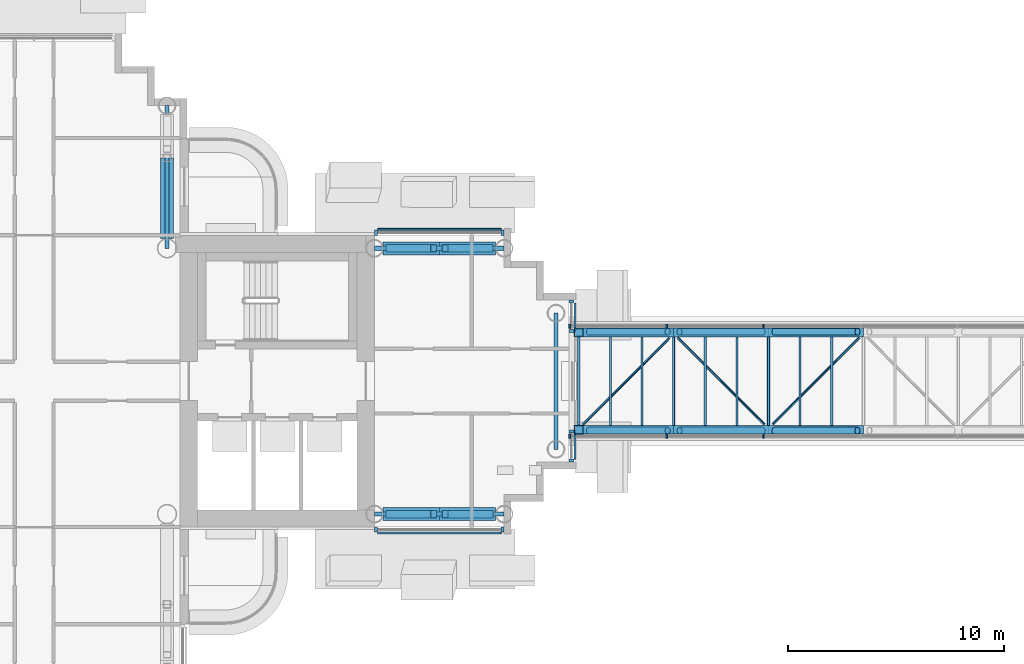
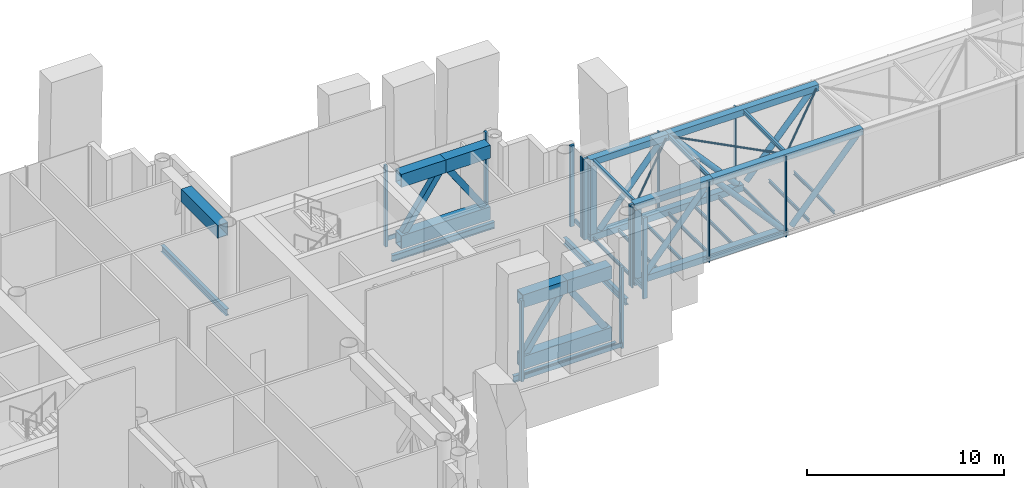
# One storey, part 4 of 34: 46 members, 16 beams, 6 elements without a shape of their own.
"""IFC4 building model written with IfcOpenShell, lengths in metres."""

import ifcopenshell
import ifcopenshell.guid

model = None  # the IFC model being written
_history = None  # IfcOwnerHistory: only IFC2X3 demands one
_inside = {}  # id of a spatial element -> (the spatial element, [elements in it])
_under = {}  # id of a project, library or spatial element -> (it, [spatial elements below it])
_declared = {}  # id of a project -> (the project, [libraries it declares])
_typed = {}  # id of a type object -> (the type object, [elements of that type])
_made_of = {}  # id of a material, layer set ... -> (it, [elements and type objects made of it])


def new_model(schema):
    """Start an empty IFC model of exactly this schema.

    Asked for "IFC4X3", IfcOpenShell would pick the latest addendum, in which some entities
    have other attributes; the version numbers below select the first issue.
    IFC2X3 requires an IfcOwnerHistory on every rooted entity: one is made here for all.
    """
    global model, _history
    if schema == "IFC4X3":
        model = ifcopenshell.file(schema_version=(4, 3, 0, 0))
    else:
        model = ifcopenshell.file(schema=schema)
    _inside.clear()
    _under.clear()
    _declared.clear()
    _typed.clear()
    _made_of.clear()
    _history = None
    if model.schema == "IFC2X3":
        org = make("IfcOrganization", Name="unknown")
        user = make(
            "IfcPersonAndOrganization",
            ThePerson=make("IfcPerson", FamilyName="unknown"),
            TheOrganization=org,
        )
        app = make(
            "IfcApplication",
            ApplicationDeveloper=org,
            Version="unknown",
            ApplicationFullName="unknown",
            ApplicationIdentifier="unknown",
        )
        _history = make(
            "IfcOwnerHistory",
            OwningUser=user,
            OwningApplication=app,
            ChangeAction="ADDED",
            CreationDate=0,
        )
    return model


def make(cls, **values):
    """One entity of the class cls with the attributes given. An attribute that is None is left unset."""
    return model.create_entity(
        cls, **{name: value for name, value in values.items() if value is not None}
    )


def rooted(cls, **values):
    """An entity with a GlobalId (a new one), such as an element, a storey or a relation."""
    return make(cls, GlobalId=ifcopenshell.guid.new(), OwnerHistory=_history, **values)


def si_unit(unit_type, name, prefix=None):
    """IfcSIUnit, for example si_unit("LENGTHUNIT", "METRE", prefix="MILLI")."""
    return make("IfcSIUnit", UnitType=unit_type, Prefix=prefix, Name=name)


def assignment(units):
    """IfcUnitAssignment: the units of a project."""
    return None if units is None else make("IfcUnitAssignment", Units=units)


def point(xyz):
    """IfcCartesianPoint."""
    return None if xyz is None else make("IfcCartesianPoint", Coordinates=xyz)


def direction(xyz):
    """IfcDirection."""
    return None if xyz is None else make("IfcDirection", DirectionRatios=xyz)


def frame(location, z_axis=None, x_axis=None):
    """IfcAxis2Placement3D, a coordinate frame: its origin and axes. An axis left out is left unset."""
    return make(
        "IfcAxis2Placement3D",
        Location=point(location),
        Axis=direction(z_axis),
        RefDirection=direction(x_axis),
    )


def frame_2d(location, x_axis=None):
    """IfcAxis2Placement2D, a coordinate frame in the plane: its origin and x axis."""
    return make(
        "IfcAxis2Placement2D", Location=point(location), RefDirection=direction(x_axis)
    )


def origin():
    """The frame at (0, 0, 0) with its axes left unset."""
    return frame((0.0, 0.0, 0.0))


def origin_2d():
    """The frame at (0, 0) in the plane with its x axis left unset."""
    return frame_2d((0.0, 0.0))


def place(relative_to, where):
    """IfcLocalPlacement: puts the frame where relative to a parent placement (None: the world)."""
    return make(
        "IfcLocalPlacement", PlacementRelTo=relative_to, RelativePlacement=where
    )


def context(
    kind, dimensions, precision=None, world=None, true_north=None, identifier=None
):
    """IfcGeometricRepresentationContext, for example the 3D "Model" context."""
    return make(
        "IfcGeometricRepresentationContext",
        ContextIdentifier=identifier,
        ContextType=kind,
        CoordinateSpaceDimension=dimensions,
        Precision=precision,
        WorldCoordinateSystem=world,
        TrueNorth=true_north,
    )


def subcontext(parent, identifier, kind, view, scale=None):
    """IfcGeometricRepresentationSubContext, for example "Body" below "Model"."""
    return make(
        "IfcGeometricRepresentationSubContext",
        ContextIdentifier=identifier,
        ContextType=kind,
        ParentContext=parent,
        TargetScale=scale,
        TargetView=view,
    )


def project(units=None, contexts=None):
    """IfcProject with its units and contexts."""
    return rooted(
        "IfcProject",
        Name="project",
        RepresentationContexts=contexts,
        UnitsInContext=assignment(units),
    )


def spatial(cls, under=None, at=None, **own):
    """A site, building, storey or space (cls), placed at a placement, below another one or the project."""
    s = rooted(cls, ObjectPlacement=at, **own)
    if under is not None:
        _under.setdefault(under.id(), (under, []))[1].append(s)
    return s


def profile(cls, at=None, kind="AREA", **sizes):
    """A parametric profile (cls). Its sizes go by their IFC names, for example OverallWidth=200.0."""
    return make(cls, ProfileType=kind, Position=at, **sizes)


def rectangle(**sizes):
    """IfcRectangleProfileDef."""
    return profile("IfcRectangleProfileDef", **sizes)


def hollow_rectangle(**sizes):
    """IfcRectangleHollowProfileDef."""
    return profile("IfcRectangleHollowProfileDef", **sizes)


def hollow_circle(**sizes):
    """IfcCircleHollowProfileDef."""
    return profile("IfcCircleHollowProfileDef", **sizes)


def i_section(**sizes):
    """IfcIShapeProfileDef."""
    return profile("IfcIShapeProfileDef", **sizes)


def extrude(swept, where, along, depth):
    """IfcExtrudedAreaSolid: the profile swept, set in the frame where, extruded along a direction by depth."""
    return make(
        "IfcExtrudedAreaSolid",
        SweptArea=swept,
        Position=where,
        ExtrudedDirection=direction(along),
        Depth=depth,
    )


def shape(context_of_items, identifier, shape_type, items):
    """IfcShapeRepresentation: the items that make up one representation, for example the "Body"."""
    return make(
        "IfcShapeRepresentation",
        ContextOfItems=context_of_items,
        RepresentationIdentifier=identifier,
        RepresentationType=shape_type,
        Items=items,
    )


def material(Name=None, Category=None):
    """IfcMaterial."""
    return make("IfcMaterial", Name=Name, Category=Category)


def layer(
    of_material, thickness, ventilated=None, Name=None, Category=None, Priority=None
):
    """IfcMaterialLayer: one layer of a wall or slab, of a material (None: an air gap)."""
    return make(
        "IfcMaterialLayer",
        Material=of_material,
        LayerThickness=thickness,
        IsVentilated=ventilated,
        Name=Name,
        Category=Category,
        Priority=Priority,
    )


def layer_set(layers, Name=None):
    """IfcMaterialLayerSet."""
    return make("IfcMaterialLayerSet", MaterialLayers=layers, LayerSetName=Name)


def material_profile(
    of_material, cross_section, Name=None, Category=None, Priority=None
):
    """IfcMaterialProfile: a cross section and its material."""
    return make(
        "IfcMaterialProfile",
        Name=Name,
        Material=of_material,
        Profile=cross_section,
        Priority=Priority,
        Category=Category,
    )


def profile_set(profiles, Name=None, composite=None):
    """IfcMaterialProfileSet."""
    return make(
        "IfcMaterialProfileSet",
        Name=Name,
        MaterialProfiles=profiles,
        CompositeProfile=composite,
    )


def made_of(thing, what):
    """Note that an element or type object is made of a material, layer set ...; save() writes the relation."""
    if what is not None:
        _made_of.setdefault(what.id(), (what, []))[1].append(thing)
    return thing


def type_object(cls, material=None, **own):
    """A type object (cls), such as IfcWallType, which elements share."""
    return made_of(rooted(cls, **own), material)


def element(
    cls,
    number,
    at=None,
    inside=None,
    cuts=None,
    type_object=None,
    material=None,
    context=None,
    identifier="Body",
    shape_type=None,
    held_by="IfcProductDefinitionShape",
    body=None,
    shapes=None,
    **own,
):
    """One element of the class cls, such as IfcWall. Its Tag is "e" and its number.

    at: its placement. inside: the storey or other place that contains it. cuts: it is an
    opening in that element (IfcRelVoidsElement). A single representation is given by context,
    identifier, shape_type and body (its items); several are given by shapes. held_by: the class
    of the entity that holds the representations. save() writes the other relations.
    """
    e = rooted(cls, Tag="e%d" % number, ObjectPlacement=at, **own)
    if body is not None:
        shapes = [shape(context, identifier, shape_type, body)]
    if shapes is not None:
        e.Representation = make(held_by, Representations=shapes)
    if inside is not None:
        _inside.setdefault(inside.id(), (inside, []))[1].append(e)
    if cuts is not None:
        rooted(
            "IfcRelVoidsElement", RelatingBuildingElement=cuts, RelatedOpeningElement=e
        )
    if type_object is not None:
        _typed.setdefault(type_object.id(), (type_object, []))[1].append(e)
    return made_of(e, material)


def aggregate(whole, parts):
    """IfcRelAggregates: a whole, such as a stair, and the parts it consists of."""
    return rooted("IfcRelAggregates", RelatingObject=whole, RelatedObjects=parts)


def save(model, path):
    """Write the relations noted so far, then the file.

    IfcRelAggregates (storeys below a building ...), IfcRelContainedInSpatialStructure (elements
    in a storey), IfcRelDefinesByType, IfcRelAssociatesMaterial and IfcRelDeclares: one each for
    every whole, place, type object, material and project.
    """
    for whole, parts in _under.values():
        aggregate(whole, parts)
    for where, things in _inside.values():
        rooted(
            "IfcRelContainedInSpatialStructure",
            RelatedElements=things,
            RelatingStructure=where,
        )
    for kind, things in _typed.values():
        rooted("IfcRelDefinesByType", RelatedObjects=things, RelatingType=kind)
    for what, things in _made_of.values():
        rooted("IfcRelAssociatesMaterial", RelatedObjects=things, RelatingMaterial=what)
    for by, libraries in _declared.values():
        rooted("IfcRelDeclares", RelatingContext=by, RelatedDefinitions=libraries)
    model.write(path)


model = new_model("IFC4")

# Units and contexts
model_context = context("Model", 3, precision=1e-05, world=origin(), true_north=direction((0.0, 1.0)))
body_context = subcontext(model_context, "Body", "Model", "MODEL_VIEW")
ifc_project = project(units=[si_unit("LENGTHUNIT", "METRE"), si_unit("AREAUNIT", "SQUARE_METRE"), si_unit("VOLUMEUNIT", "CUBIC_METRE"), si_unit("PLANEANGLEUNIT", "RADIAN"), si_unit("MASSUNIT", "GRAM", prefix="KILO")], contexts=[model_context])

# Site, building, storey
site_placement = place(None, origin())
site = spatial("IfcSite", under=ifc_project, at=site_placement, CompositionType="ELEMENT")
building_placement = place(site_placement, origin())
building = spatial("IfcBuilding", under=site, at=building_placement, Name="Ipe Terrace Towers", CompositionType="ELEMENT")
storey_placement = place(building_placement, frame((0.0, 0.0, 128.699951171875)))
storey = spatial("IfcBuildingStorey", under=building, at=storey_placement, Name="L35", CompositionType="ELEMENT", Elevation=128.699951171875)

# Curtain wall, members
ifc_material_1 = material(Name="Aluminium alloy 6063-T6", Category="aluminium")
ifc_layer_1 = layer(ifc_material_1, 0.300048828125)
ifc_layer_set_1 = layer_set([ifc_layer_1], Name="BRIDGE ENCLOSURE CURTAIN WALL")
curtain_wall_type_1 = type_object("IfcCurtainWallType", Name="BRIDGE ENCLOSURE CURTAIN WALL", PredefinedType="NOTDEFINED", material=ifc_layer_set_1)
curtain_wall_1_placement = place(storey_placement, origin())
curtain_wall_1 = element("IfcCurtainWall", 1, at=curtain_wall_1_placement, inside=storey, type_object=curtain_wall_type_1, Name="BR2-CW1 curtain wall", PredefinedType="NOTDEFINED")
ifc_material_2 = material(Name="Aluminium alloy 6063-T6", Category="aluminium")
ifc_material_profile_1 = material_profile(ifc_material_2, rectangle(XDim=0.179931640625, YDim=0.070068359375, at=origin_2d()), Name="BRIDGE ENCLOSURE MULLION 180 x 70")
ifc_profile_set_1 = profile_set([ifc_material_profile_1], Name="Aluminium alloy 6063-T6")
member_type_1 = type_object("IfcMemberType", Name="BRIDGE ENCLOSURE MULLION 180 x 70", PredefinedType="MULLION", material=ifc_profile_set_1)
member_1_placement = place(storey_placement, frame((-2.23828125, 2.544921875, -0.300048828125), z_axis=(0.0, 0.0, 1.0), x_axis=(0.0, 1.0, 0.0)))
member_1 = element("IfcMember", 2, at=member_1_placement, type_object=member_type_1, Name="BR2-CW1 mullion 5", PredefinedType="MULLION", context=body_context, shape_type="SweptSolid", body=[
    extrude(rectangle(XDim=0.179931640625, YDim=0.070068359375, at=origin_2d()), origin(), (0.0, 0.0, 1.0), 5.0),
])
member_2_placement = place(storey_placement, frame((-6.7265625, 2.544921875, -0.300048828125), z_axis=(0.0, 0.0, 1.0), x_axis=(0.0, 1.0, 0.0)))
member_2 = element("IfcMember", 3, at=member_2_placement, type_object=member_type_1, Name="BR2-CW1 mullion 6", PredefinedType="MULLION", context=body_context, shape_type="SweptSolid", body=[
    extrude(rectangle(XDim=0.179931640625, YDim=0.070068359375, at=origin_2d()), origin(), (0.0, 0.0, 1.0), 5.0),
])
member_3_placement = place(storey_placement, frame((-11.215087890625, 2.544921875, -0.300048828125), z_axis=(0.0, 0.0, 1.0), x_axis=(0.0, 1.0, 0.0)))
member_3 = element("IfcMember", 4, at=member_3_placement, type_object=member_type_1, Name="BR2-CW1 mullion 7", PredefinedType="MULLION", context=body_context, shape_type="SweptSolid", body=[
    extrude(rectangle(XDim=0.179931640625, YDim=0.070068359375, at=origin_2d()), origin(), (0.0, 0.0, 1.0), 5.0),
])
aggregate(curtain_wall_1, [member_1, member_2, member_3])

curtain_wall_2_placement = place(storey_placement, origin())
curtain_wall_2 = element("IfcCurtainWall", 5, at=curtain_wall_2_placement, inside=storey, type_object=curtain_wall_type_1, Name="BR2-CW2 curtain wall", PredefinedType="NOTDEFINED")
member_4_placement = place(storey_placement, frame((-11.215087890625, -2.544921875, -0.300048828125), z_axis=(0.0, 0.0, 1.0), x_axis=(0.0, -1.0, 0.0)))
member_4 = element("IfcMember", 6, at=member_4_placement, type_object=member_type_1, Name="BR2-CW2 mullion 1", PredefinedType="MULLION", context=body_context, shape_type="SweptSolid", body=[
    extrude(rectangle(XDim=0.179931640625, YDim=0.070068359375, at=origin_2d()), origin(), (0.0, 0.0, 1.0), 5.0),
])
member_5_placement = place(storey_placement, frame((-6.7265625, -2.544921875, -0.300048828125), z_axis=(0.0, 0.0, 1.0), x_axis=(0.0, -1.0, 0.0)))
member_5 = element("IfcMember", 7, at=member_5_placement, type_object=member_type_1, Name="BR2-CW2 mullion 2", PredefinedType="MULLION", context=body_context, shape_type="SweptSolid", body=[
    extrude(rectangle(XDim=0.179931640625, YDim=0.070068359375, at=origin_2d()), origin(), (0.0, 0.0, 1.0), 5.0),
])
member_6_placement = place(storey_placement, frame((-2.23828125, -2.544921875, -0.300048828125), z_axis=(0.0, 0.0, 1.0), x_axis=(0.0, -1.0, 0.0)))
member_6 = element("IfcMember", 8, at=member_6_placement, type_object=member_type_1, Name="BR2-CW2 mullion 3", PredefinedType="MULLION", context=body_context, shape_type="SweptSolid", body=[
    extrude(rectangle(XDim=0.179931640625, YDim=0.070068359375, at=origin_2d()), origin(), (0.0, 0.0, 1.0), 5.0),
])
aggregate(curtain_wall_2, [member_4, member_5, member_6])

# Members
ifc_material_3 = material(Name="Steel S355", Category="steel")
ifc_material_profile_2 = material_profile(ifc_material_3, hollow_rectangle(XDim=0.39990234375, YDim=0.39990234375, WallThickness=0.02001953125, at=origin_2d()), Name="BRIDGE-CHORD BOX 400x400x20")
ifc_profile_set_2 = profile_set([ifc_material_profile_2], Name="Steel S355")
member_type_2 = type_object("IfcMemberType", Name="BRIDGE-CHORD BOX 400x400x20", PredefinedType="CHORD", material=ifc_profile_set_2)
member_7_placement = place(storey_placement, frame((-2.01708984375, -2.25, -0.14990234375), z_axis=(-1.0, 0.0, 0.0), x_axis=(0.0, -1.0, 0.0)))
element("IfcMember", 9, at=member_7_placement, inside=storey, type_object=member_type_2, Name="BR2-TSBC-003 bottom chord", PredefinedType="CHORD", context=body_context, shape_type="SweptSolid", body=[
    extrude(hollow_rectangle(XDim=0.39990234375, YDim=0.39990234375, WallThickness=0.02001953125, at=origin_2d()), origin(), (0.0, 0.0, 1.0), 8.98291015625),
])
member_8_placement = place(storey_placement, frame((2.375, -2.25, 4.5), z_axis=(-1.0, 0.0, 0.0), x_axis=(0.0, -1.0, 0.0)))
element("IfcMember", 10, at=member_8_placement, inside=storey, type_object=member_type_2, Name="BR2-TSTC-006 top chord", PredefinedType="CHORD", context=body_context, shape_type="SweptSolid", body=[
    extrude(hollow_rectangle(XDim=0.39990234375, YDim=0.39990234375, WallThickness=0.02001953125, at=origin_2d()), origin(), (0.0, 0.0, 1.0), 8.783935546875),
])
member_9_placement = place(storey_placement, frame((-6.408935546875, -2.25, 4.5), z_axis=(-1.0, 0.0, 0.0), x_axis=(0.0, -1.0, 0.0)))
element("IfcMember", 11, at=member_9_placement, inside=storey, type_object=member_type_2, Name="BR2-TSTC-007 top chord", PredefinedType="CHORD", context=body_context, shape_type="SweptSolid", body=[
    extrude(hollow_rectangle(XDim=0.39990234375, YDim=0.39990234375, WallThickness=0.02001953125, at=origin_2d()), origin(), (0.0, 0.0, 1.0), 4.591064453125),
])
member_10_placement = place(storey_placement, frame((-2.01708984375, 2.25, -0.14990234375), z_axis=(-1.0, 0.0, 0.0), x_axis=(0.0, -1.0, 0.0)))
element("IfcMember", 12, at=member_10_placement, inside=storey, type_object=member_type_2, Name="BR2-TNBC-018 bottom chord", PredefinedType="CHORD", context=body_context, shape_type="SweptSolid", body=[
    extrude(hollow_rectangle(XDim=0.39990234375, YDim=0.39990234375, WallThickness=0.02001953125, at=origin_2d()), origin(), (0.0, 0.0, 1.0), 8.98291015625),
])
member_11_placement = place(storey_placement, frame((2.375, 2.25, 4.5), z_axis=(-1.0, 0.0, 0.0), x_axis=(0.0, -1.0, 0.0)))
element("IfcMember", 13, at=member_11_placement, inside=storey, type_object=member_type_2, Name="BR2-TNTC-021 top chord", PredefinedType="CHORD", context=body_context, shape_type="SweptSolid", body=[
    extrude(hollow_rectangle(XDim=0.39990234375, YDim=0.39990234375, WallThickness=0.02001953125, at=origin_2d()), origin(), (0.0, 0.0, 1.0), 8.783935546875),
])
member_12_placement = place(storey_placement, frame((-6.408935546875, 2.25, 4.5), z_axis=(-1.0, 0.0, 0.0), x_axis=(0.0, -1.0, 0.0)))
element("IfcMember", 14, at=member_12_placement, inside=storey, type_object=member_type_2, Name="BR2-TNTC-022 top chord", PredefinedType="CHORD", context=body_context, shape_type="SweptSolid", body=[
    extrude(hollow_rectangle(XDim=0.39990234375, YDim=0.39990234375, WallThickness=0.02001953125, at=origin_2d()), origin(), (0.0, 0.0, 1.0), 4.591064453125),
])

# Beams
ifc_material_4 = material(Name="Steel S355", Category="steel")
ifc_material_profile_3 = material_profile(ifc_material_4, i_section(OverallWidth=0.10009765625, OverallDepth=0.199951171875, WebThickness=0.005615234375, FlangeThickness=0.008056640625, at=origin_2d()), Name="H200x100")
ifc_profile_set_3 = profile_set([ifc_material_profile_3], Name="Steel S355")
beam_type_1 = type_object("IfcBeamType", Name="BRIDGE-DECK BEAM H200x100", PredefinedType="BEAM", material=ifc_profile_set_3)
for number, where, z_axis, x_axis, name in (
    (15, (0.910888671875, -2.050048828125, -0.219970703125), (0.0, 1.0, 0.0), (-1.0, 0.0, 0.0), "BR2-DB-041 deck beam"),
    (16, (-0.552978515625, -2.050048828125, -0.219970703125), (0.0, 1.0, 0.0), (-1.0, 0.0, 0.0), "BR2-DB-042 deck beam"),
    (17, (-2.01708984375, -2.050048828125, -0.219970703125), (0.0, 1.0, 0.0), (-1.0, 0.0, 0.0), "BR2-DB-043 deck beam"),
    (18, (-3.48095703125, -2.050048828125, -0.219970703125), (0.0, 1.0, 0.0), (-1.0, 0.0, 0.0), "BR2-DB-044 deck beam"),
    (19, (-4.944091796875, -2.050048828125, -0.219970703125), (0.0, 1.0, 0.0), (-1.0, 0.0, 0.0), "BR2-DB-045 deck beam"),
    (20, (-6.407958984375, -2.050048828125, -0.219970703125), (0.0, 1.0, 0.0), (-1.0, 0.0, 0.0), "BR2-DB-046 deck beam"),
    (21, (-7.8720703125, -2.050048828125, -0.219970703125), (0.0, 1.0, 0.0), (-1.0, 0.0, 0.0), "BR2-DB-047 deck beam"),
    (22, (-9.3359375, -2.050048828125, -0.219970703125), (0.0, 1.0, 0.0), (-1.0, 0.0, 0.0), "BR2-DB-048 deck beam"),
    (23, (-10.800048828125, -2.050048828125, -0.219970703125), (0.0, 1.0, 0.0), (-1.0, 0.0, 0.0), "BR2-DB-049 deck beam"),
):
    element("IfcBeam", number, at=place(storey_placement, frame(where, z_axis=z_axis, x_axis=x_axis)), inside=storey, type_object=beam_type_1, Name=name, PredefinedType="BEAM", context=body_context, shape_type="SweptSolid", body=[
        extrude(i_section(OverallWidth=0.10009765625, OverallDepth=0.199951171875, WebThickness=0.005615234375, FlangeThickness=0.008056640625, at=origin_2d()), origin(), (0.0, 0.0, 1.0), 4.10009765625),
    ])

# Members
ifc_material_5 = material(Name="Steel S355", Category="steel")
ifc_material_profile_4 = material_profile(ifc_material_5, hollow_circle(Radius=0.162109375, WallThickness=0.013916015625, at=origin_2d()), Name="BRIDGE-DIAGONAL CHS 324x14")
ifc_profile_set_4 = profile_set([ifc_material_profile_4], Name="Steel S355")
member_type_3 = type_object("IfcMemberType", Name="BRIDGE-DIAGONAL CHS 324x14", PredefinedType="BRACE", material=ifc_profile_set_4)
for number, where, z_axis, x_axis, name in (
    (24, (2.10009765625, -2.2880859375, 4.320068359375), (-0.667140519909, 0.0, -0.744931893998), (0.0, -1.0, 0.0), "BR2-TSD-013 diagonal"),
    (25, (-2.2919921875, -2.2880859375, 0.030029296875), (-0.667140519909, 0.0, 0.744931893998), (0.0, -1.0, 0.0), "BR2-TSD-014 diagonal"),
):
    element("IfcMember", number, at=place(storey_placement, frame(where, z_axis=z_axis, x_axis=x_axis)), inside=storey, type_object=member_type_3, Name=name, PredefinedType="BRACE", context=body_context, shape_type="SweptSolid", body=[
        extrude(hollow_circle(Radius=0.162109375, WallThickness=0.013916015625, at=origin_2d()), origin(), (0.0, 0.0, 1.0), 5.759033203125),
    ])
member_13_placement = place(storey_placement, frame((-6.68505859375, -2.2880859375, 4.320068359375), z_axis=(-0.646861980458, 0.0, -0.762607092963), x_axis=(0.0, -1.0, 0.0)))
element("IfcMember", 26, at=member_13_placement, inside=storey, type_object=member_type_3, Name="BR2-TSD-015 diagonal", PredefinedType="BRACE", context=body_context, shape_type="SweptSolid", body=[
    extrude(hollow_circle(Radius=0.162109375, WallThickness=0.013916015625, at=origin_2d()), origin(), (0.0, 0.0, 1.0), 5.62548828125),
])
for number, where, z_axis, x_axis, name in (
    (27, (2.10009765625, 2.2880859375, 4.320068359375), (-0.667140519909, 0.0, -0.744931893998), (0.0, -1.0, 0.0), "BR2-TND-028 diagonal"),
    (28, (-2.2919921875, 2.2880859375, 0.030029296875), (-0.667140519909, 0.0, 0.744931893998), (0.0, -1.0, 0.0), "BR2-TND-029 diagonal"),
):
    element("IfcMember", number, at=place(storey_placement, frame(where, z_axis=z_axis, x_axis=x_axis)), inside=storey, type_object=member_type_3, Name=name, PredefinedType="BRACE", context=body_context, shape_type="SweptSolid", body=[
        extrude(hollow_circle(Radius=0.162109375, WallThickness=0.013916015625, at=origin_2d()), origin(), (0.0, 0.0, 1.0), 5.759033203125),
    ])
member_14_placement = place(storey_placement, frame((-6.68505859375, 2.2880859375, 4.320068359375), z_axis=(-0.646861980458, 0.0, -0.762607092963), x_axis=(0.0, -1.0, 0.0)))
element("IfcMember", 29, at=member_14_placement, inside=storey, type_object=member_type_3, Name="BR2-TND-030 diagonal", PredefinedType="BRACE", context=body_context, shape_type="SweptSolid", body=[
    extrude(hollow_circle(Radius=0.162109375, WallThickness=0.013916015625, at=origin_2d()), origin(), (0.0, 0.0, 1.0), 5.62548828125),
])
ifc_material_6 = material(Name="Steel S355", Category="steel")
ifc_material_profile_5 = material_profile(ifc_material_6, hollow_circle(Radius=0.05712890625, WallThickness=0.006103515625, at=origin_2d()), Name="BRIDGE-PLAN BRACE CHS 114x6")
ifc_profile_set_5 = profile_set([ifc_material_profile_5], Name="Steel S355")
member_type_4 = type_object("IfcMemberType", Name="BRIDGE-PLAN BRACE CHS 114x6", PredefinedType="BRACE", material=ifc_profile_set_5)
for number, where, z_axis, x_axis, name in (
    (30, (2.18505859375, 2.010009765625, 4.5), (-0.706397148216, -0.707815702703, 0.0), (0.707815702703, -0.706397148216, 0.0), "BR2-PB-060 roof plan brace"),
    (31, (-2.20703125, -2.010009765625, 4.5), (-0.706397148216, 0.707815702703, 0.0), (-0.707815702703, -0.706397148216, 0.0), "BR2-PB-061 roof plan brace"),
):
    element("IfcMember", number, at=place(storey_placement, frame(where, z_axis=z_axis, x_axis=x_axis)), inside=storey, type_object=member_type_4, Name=name, PredefinedType="BRACE", context=body_context, shape_type="SweptSolid", body=[
        extrude(hollow_circle(Radius=0.05712890625, WallThickness=0.006103515625, at=origin_2d()), origin(), (0.0, 0.0, 1.0), 5.679443359375),
    ])
member_15_placement = place(storey_placement, frame((-6.59912109375, 2.010009765625, 4.5), z_axis=(-0.706310987046, -0.707901680729, 0.0), x_axis=(0.707901680729, -0.706310987046, 0.0)))
element("IfcMember", 32, at=member_15_placement, inside=storey, type_object=member_type_4, Name="BR2-PB-062 roof plan brace", PredefinedType="BRACE", context=body_context, shape_type="SweptSolid", body=[
    extrude(hollow_circle(Radius=0.05712890625, WallThickness=0.006103515625, at=origin_2d()), origin(), (0.0, 0.0, 1.0), 5.6787109375),
])
ifc_material_7 = material(Name="Steel S355", Category="steel")
ifc_material_profile_6 = material_profile(ifc_material_7, hollow_rectangle(XDim=0.39990234375, YDim=0.39990234375, WallThickness=0.02001953125, at=origin_2d()), Name="BRIDGE-POST BOX 400x400x20")
ifc_profile_set_6 = profile_set([ifc_material_profile_6], Name="Steel S355")
member_type_5 = type_object("IfcMemberType", Name="BRIDGE-POST BOX 400x400x20", PredefinedType="POST", material=ifc_profile_set_6)
for number, where, z_axis, x_axis, name in (
    (33, (-10.800048828125, -2.25, 0.050048828125), (0.0, 0.0, 1.0), (1.0, 0.0, 0.0), "BR2-TSP-009 end post"),
    (34, (-10.800048828125, 2.25, 0.050048828125), (0.0, 0.0, 1.0), (1.0, 0.0, 0.0), "BR2-TNP-024 end post"),
):
    element("IfcMember", number, at=place(storey_placement, frame(where, z_axis=z_axis, x_axis=x_axis)), inside=storey, type_object=member_type_5, Name=name, PredefinedType="POST", context=body_context, shape_type="SweptSolid", body=[
        extrude(hollow_rectangle(XDim=0.39990234375, YDim=0.39990234375, WallThickness=0.02001953125, at=origin_2d()), origin(), (0.0, 0.0, 1.0), 4.25),
    ])

# Beams
ifc_material_8 = material(Name="Steel S355", Category="steel")
ifc_material_profile_7 = material_profile(ifc_material_8, i_section(OverallWidth=0.125, OverallDepth=0.25, WebThickness=0.006103515625, FlangeThickness=0.009033203125, at=origin_2d()), Name="H250x125")
ifc_profile_set_7 = profile_set([ifc_material_profile_7], Name="Steel S355")
beam_type_2 = type_object("IfcBeamType", Name="BRIDGE-ROOF BEAM H250x125", PredefinedType="BEAM", material=ifc_profile_set_7)
for number, where, z_axis, x_axis, name in (
    (35, (-2.01708984375, -2.050048828125, 4.574951171875), (0.0, 1.0, 0.0), (-1.0, 0.0, 0.0), "BR2-RB-054 roof beam"),
    (36, (-6.408935546875, -2.050048828125, 4.574951171875), (0.0, 1.0, 0.0), (-1.0, 0.0, 0.0), "BR2-RB-055 roof beam"),
    (37, (-10.800048828125, -2.050048828125, 4.574951171875), (0.0, 1.0, 0.0), (-1.0, 0.0, 0.0), "BR2-RB-056 roof beam"),
):
    element("IfcBeam", number, at=place(storey_placement, frame(where, z_axis=z_axis, x_axis=x_axis)), inside=storey, type_object=beam_type_2, Name=name, PredefinedType="BEAM", context=body_context, shape_type="SweptSolid", body=[
        extrude(i_section(OverallWidth=0.125, OverallDepth=0.25, WebThickness=0.006103515625, FlangeThickness=0.009033203125, at=origin_2d()), origin(), (0.0, 0.0, 1.0), 4.10009765625),
    ])
ifc_material_9 = material(Name="Steel S355", Category="steel")
ifc_material_profile_8 = material_profile(ifc_material_9, i_section(OverallWidth=0.199951171875, OverallDepth=0.39990234375, WebThickness=0.008056640625, FlangeThickness=0.012939453125, at=origin_2d()), Name="H-400x200x8x13")
ifc_profile_set_8 = profile_set([ifc_material_profile_8], Name="Steel S355")
beam_type_3 = type_object("IfcBeamType", Name="H06 EDGE BEAM H-400x200x8x13", PredefinedType="BEAM", material=ifc_profile_set_8)
for number, where, z_axis, x_axis, name in (
    (38, (-20.25, -6.14990234375, -0.599853515625), (1.0, 0.0, 0.0), (0.0, 1.0, 0.0), "Edge beam T1-EB-A01-A03"),
    (39, (-20.25, 6.14990234375, -0.599853515625), (1.0, 0.0, 0.0), (0.0, 1.0, 0.0), "Edge beam T1-EB-A02-A04"),
):
    element("IfcBeam", number, at=place(storey_placement, frame(where, z_axis=z_axis, x_axis=x_axis)), inside=storey, type_object=beam_type_3, Name=name, PredefinedType="BEAM", context=body_context, shape_type="SweptSolid", body=[
        extrude(i_section(OverallWidth=0.199951171875, OverallDepth=0.39990234375, WebThickness=0.008056640625, FlangeThickness=0.012939453125, at=origin_2d()), origin(), (0.0, 0.0, 1.0), 6.0),
    ])
beam_1_placement = place(storey_placement, frame((-11.85009765625, -3.14990234375, -0.599853515625), z_axis=(0.0, 1.0, 0.0), x_axis=(-1.0, 0.0, 0.0)))
element("IfcBeam", 40, at=beam_1_placement, inside=storey, type_object=beam_type_3, Name="Edge beam T1-EB-A05-A06", PredefinedType="BEAM", context=body_context, shape_type="SweptSolid", body=[
    extrude(i_section(OverallWidth=0.199951171875, OverallDepth=0.39990234375, WebThickness=0.008056640625, FlangeThickness=0.012939453125, at=origin_2d()), origin(), (0.0, 0.0, 1.0), 6.2998046875),
])
beam_2_placement = place(storey_placement, frame((-29.85009765625, 12.75, -0.599853515625), z_axis=(0.0, -1.0, 0.0), x_axis=(1.0, 0.0, 0.0)))
element("IfcBeam", 41, at=beam_2_placement, inside=storey, type_object=beam_type_3, Name="Edge beam T1-EB-B01-E03", PredefinedType="BEAM", context=body_context, shape_type="SweptSolid", body=[
    extrude(i_section(OverallWidth=0.199951171875, OverallDepth=0.39990234375, WebThickness=0.008056640625, FlangeThickness=0.012939453125, at=origin_2d()), origin(), (0.0, 0.0, 1.0), 6.60009765625),
])

# Members
ifc_material_10 = material(Name="Steel S355", Category="steel")
ifc_material_profile_9 = material_profile(ifc_material_10, hollow_rectangle(XDim=0.35009765625, YDim=0.35009765625, WallThickness=0.02001953125, at=origin_2d()), Name="OUTRIGGER-BRACE BOX 350x350x20")
ifc_profile_set_9 = profile_set([ifc_material_profile_9], Name="Steel S355")
member_type_6 = type_object("IfcMemberType", Name="OUTRIGGER-BRACE BOX 350x350x20", PredefinedType="BRACE", material=ifc_profile_set_9)
for number, where, z_axis, x_axis, name in (
    (42, (-19.5830078125, 6.14990234375, 0.780029296875), (0.56206654505, 0.0, 0.827092013585), (0.0, 1.0, 0.0), "T1-OR-L35-152 diagonal"),
    (43, (-14.9169921875, 6.14990234375, 0.780029296875), (-0.56206654505, 0.0, 0.827092013585), (0.0, -1.0, 0.0), "T1-OR-L35-153 diagonal"),
    (44, (-19.5830078125, -6.14990234375, 0.780029296875), (0.56206654505, 0.0, 0.827092013585), (0.0, 1.0, 0.0), "T1-OR-L35-157 diagonal"),
    (45, (-14.9169921875, -6.14990234375, 0.780029296875), (-0.56206654505, 0.0, 0.827092013585), (0.0, -1.0, 0.0), "T1-OR-L35-158 diagonal"),
):
    element("IfcMember", number, at=place(storey_placement, frame(where, z_axis=z_axis, x_axis=x_axis)), inside=storey, type_object=member_type_6, Name=name, PredefinedType="BRACE", context=body_context, shape_type="SweptSolid", body=[
        extrude(hollow_rectangle(XDim=0.35009765625, YDim=0.35009765625, WallThickness=0.02001953125, at=origin_2d()), origin(), (0.0, 0.0, 1.0), 3.675537109375),
    ])
ifc_material_11 = material(Name="Steel S355", Category="steel")
ifc_material_profile_10 = material_profile(ifc_material_11, hollow_rectangle(XDim=0.60009765625, YDim=0.800048828125, WallThickness=0.0400390625, at=origin_2d()), Name="OUTRIGGER-CHORD BOX 600x800x40")
ifc_profile_set_10 = profile_set([ifc_material_profile_10], Name="Steel S355")
member_type_7 = type_object("IfcMemberType", Name="OUTRIGGER-CHORD BOX 600x800x40", PredefinedType="CHORD", material=ifc_profile_set_10)
member_16_placement = place(storey_placement, frame((-19.85009765625, 6.14990234375, 0.400146484375), z_axis=(1.0, 0.0, 0.0), x_axis=(0.0, 1.0, 0.0)))
element("IfcMember", 46, at=member_16_placement, inside=storey, type_object=member_type_7, Name="T1-OR-L35-151 bottom chord", PredefinedType="CHORD", context=body_context, shape_type="SweptSolid", body=[
    extrude(hollow_rectangle(XDim=0.60009765625, YDim=0.800048828125, WallThickness=0.0400390625, at=origin_2d()), origin(), (0.0, 0.0, 1.0), 5.2001953125),
])
for number, where, z_axis, x_axis, name in (
    (47, (-19.85009765625, 6.14990234375, 4.199951171875), (1.0, 0.0, 0.0), (0.0, 1.0, 0.0), "T1-OR-L35-154 top chord"),
    (48, (-17.25, 6.14990234375, 4.199951171875), (1.0, 0.0, 0.0), (0.0, 1.0, 0.0), "T1-OR-L35-155 top chord"),
):
    element("IfcMember", number, at=place(storey_placement, frame(where, z_axis=z_axis, x_axis=x_axis)), inside=storey, type_object=member_type_7, Name=name, PredefinedType="CHORD", context=body_context, shape_type="SweptSolid", body=[
        extrude(hollow_rectangle(XDim=0.60009765625, YDim=0.800048828125, WallThickness=0.0400390625, at=origin_2d()), origin(), (0.0, 0.0, 1.0), 2.60009765625),
    ])
member_17_placement = place(storey_placement, frame((-19.85009765625, -6.14990234375, 0.400146484375), z_axis=(1.0, 0.0, 0.0), x_axis=(0.0, 1.0, 0.0)))
element("IfcMember", 49, at=member_17_placement, inside=storey, type_object=member_type_7, Name="T1-OR-L35-156 bottom chord", PredefinedType="CHORD", context=body_context, shape_type="SweptSolid", body=[
    extrude(hollow_rectangle(XDim=0.60009765625, YDim=0.800048828125, WallThickness=0.0400390625, at=origin_2d()), origin(), (0.0, 0.0, 1.0), 5.2001953125),
])
for number, where, z_axis, x_axis, name in (
    (50, (-19.85009765625, -6.14990234375, 4.199951171875), (1.0, 0.0, 0.0), (0.0, 1.0, 0.0), "T1-OR-L35-159 top chord"),
    (51, (-17.25, -6.14990234375, 4.199951171875), (1.0, 0.0, 0.0), (0.0, 1.0, 0.0), "T1-OR-L35-160 top chord"),
):
    element("IfcMember", number, at=place(storey_placement, frame(where, z_axis=z_axis, x_axis=x_axis)), inside=storey, type_object=member_type_7, Name=name, PredefinedType="CHORD", context=body_context, shape_type="SweptSolid", body=[
        extrude(hollow_rectangle(XDim=0.60009765625, YDim=0.800048828125, WallThickness=0.0400390625, at=origin_2d()), origin(), (0.0, 0.0, 1.0), 2.60009765625),
    ])
member_18_placement = place(storey_placement, frame((-29.85009765625, 6.60009765625, 4.199951171875), z_axis=(0.0, 1.0, 0.0), x_axis=(-1.0, 0.0, 0.0)))
element("IfcMember", 52, at=member_18_placement, inside=storey, type_object=member_type_7, Name="T1-OR-L35-179 top chord", PredefinedType="CHORD", context=body_context, shape_type="SweptSolid", body=[
    extrude(hollow_rectangle(XDim=0.60009765625, YDim=0.800048828125, WallThickness=0.0400390625, at=origin_2d()), origin(), (0.0, 0.0, 1.0), 3.724853515625),
])

# Curtain wall, members
ifc_material_12 = material(Name="Aluminium alloy 6063-T6", Category="aluminium")
ifc_layer_2 = layer(ifc_material_12, 0.320068359375)
ifc_layer_set_2 = layer_set([ifc_layer_2], Name="REFUGE FLOOR CURTAIN WALL")
curtain_wall_type_2 = type_object("IfcCurtainWallType", Name="REFUGE FLOOR CURTAIN WALL", PredefinedType="NOTDEFINED", material=ifc_layer_set_2)
curtain_wall_3_placement = place(storey_placement, origin())
curtain_wall_3 = element("IfcCurtainWall", 53, at=curtain_wall_3_placement, inside=storey, type_object=curtain_wall_type_2, Name="T1-CW-L35-20b curtain wall", PredefinedType="NOTDEFINED")
ifc_material_13 = material(Name="Aluminium alloy 6063-T6", Category="aluminium")
ifc_material_profile_11 = material_profile(ifc_material_13, rectangle(XDim=0.239990234375, YDim=0.139892578125, at=origin_2d()), Name="REFUGE FLOOR CORNER MULLION 240 x 140")
ifc_profile_set_11 = profile_set([ifc_material_profile_11], Name="Aluminium alloy 6063-T6")
member_type_8 = type_object("IfcMemberType", Name="REFUGE FLOOR CORNER MULLION 240 x 140", PredefinedType="MULLION", material=ifc_profile_set_11)
member_19_placement = place(storey_placement, frame((-20.178955078125, -6.8701171875, -0.300048828125), z_axis=(0.0, 0.0, 1.0), x_axis=(0.0, -1.0, 0.0)))
member_19 = element("IfcMember", 54, at=member_19_placement, type_object=member_type_8, Name="T1-CW-L35-20b mullion 1", PredefinedType="MULLION", context=body_context, shape_type="SweptSolid", body=[
    extrude(rectangle(XDim=0.239990234375, YDim=0.139892578125, at=origin_2d()), origin(), (0.0, 0.0, 1.0), 5.0),
])
member_20_placement = place(storey_placement, frame((-14.320068359375, -6.8701171875, -0.300048828125), z_axis=(0.0, 0.0, 1.0), x_axis=(0.0, -1.0, 0.0)))
member_20 = element("IfcMember", 55, at=member_20_placement, type_object=member_type_8, Name="T1-CW-L35-20b mullion 2", PredefinedType="MULLION", context=body_context, shape_type="SweptSolid", body=[
    extrude(rectangle(XDim=0.239990234375, YDim=0.139892578125, at=origin_2d()), origin(), (0.0, 0.0, 1.0), 5.0),
])

curtain_wall_4_placement = place(storey_placement, origin())
curtain_wall_4 = element("IfcCurtainWall", 56, at=curtain_wall_4_placement, inside=storey, type_object=curtain_wall_type_2, Name="T1-CW-L35-25a curtain wall", PredefinedType="NOTDEFINED")
member_21_placement = place(storey_placement, frame((-11.1298828125, -3.679931640625, -0.300048828125), z_axis=(0.0, 0.0, 1.0), x_axis=(1.0, 0.0, 0.0)))
member_21 = element("IfcMember", 57, at=member_21_placement, type_object=member_type_8, Name="T1-CW-L35-25a mullion 1", PredefinedType="MULLION", context=body_context, shape_type="SweptSolid", body=[
    extrude(rectangle(XDim=0.239990234375, YDim=0.139892578125, at=origin_2d()), origin(), (0.0, 0.0, 1.0), 5.0),
])
member_22_placement = place(storey_placement, frame((-11.1298828125, -2.320068359375, -0.300048828125), z_axis=(0.0, 0.0, 1.0), x_axis=(1.0, 0.0, 0.0)))
member_22 = element("IfcMember", 58, at=member_22_placement, type_object=member_type_8, Name="T1-CW-L35-25a mullion 2", PredefinedType="MULLION", context=body_context, shape_type="SweptSolid", body=[
    extrude(rectangle(XDim=0.239990234375, YDim=0.139892578125, at=origin_2d()), origin(), (0.0, 0.0, 1.0), 5.0),
])

curtain_wall_5_placement = place(storey_placement, origin())
curtain_wall_5 = element("IfcCurtainWall", 59, at=curtain_wall_5_placement, inside=storey, type_object=curtain_wall_type_2, Name="T1-CW-L35-25c curtain wall", PredefinedType="NOTDEFINED")
member_23_placement = place(storey_placement, frame((-11.1298828125, 2.320068359375, -0.300048828125), z_axis=(0.0, 0.0, 1.0), x_axis=(1.0, 0.0, 0.0)))
member_23 = element("IfcMember", 60, at=member_23_placement, type_object=member_type_8, Name="T1-CW-L35-25c mullion 1", PredefinedType="MULLION", context=body_context, shape_type="SweptSolid", body=[
    extrude(rectangle(XDim=0.239990234375, YDim=0.139892578125, at=origin_2d()), origin(), (0.0, 0.0, 1.0), 5.0),
])
member_24_placement = place(storey_placement, frame((-11.1298828125, 3.679931640625, -0.300048828125), z_axis=(0.0, 0.0, 1.0), x_axis=(1.0, 0.0, 0.0)))
member_24 = element("IfcMember", 61, at=member_24_placement, type_object=member_type_8, Name="T1-CW-L35-25c mullion 2", PredefinedType="MULLION", context=body_context, shape_type="SweptSolid", body=[
    extrude(rectangle(XDim=0.239990234375, YDim=0.139892578125, at=origin_2d()), origin(), (0.0, 0.0, 1.0), 5.0),
])

curtain_wall_6_placement = place(storey_placement, origin())
curtain_wall_6 = element("IfcCurtainWall", 62, at=curtain_wall_6_placement, inside=storey, type_object=curtain_wall_type_2, Name="T1-CW-L35-30a curtain wall", PredefinedType="NOTDEFINED")
member_25_placement = place(storey_placement, frame((-14.320068359375, 6.8701171875, -0.300048828125), z_axis=(0.0, 0.0, 1.0), x_axis=(0.0, 1.0, 0.0)))
member_25 = element("IfcMember", 63, at=member_25_placement, type_object=member_type_8, Name="T1-CW-L35-30a mullion 1", PredefinedType="MULLION", context=body_context, shape_type="SweptSolid", body=[
    extrude(rectangle(XDim=0.239990234375, YDim=0.139892578125, at=origin_2d()), origin(), (0.0, 0.0, 1.0), 5.0),
])
member_26_placement = place(storey_placement, frame((-20.178955078125, 6.8701171875, -0.300048828125), z_axis=(0.0, 0.0, 1.0), x_axis=(0.0, 1.0, 0.0)))
member_26 = element("IfcMember", 64, at=member_26_placement, type_object=member_type_8, Name="T1-CW-L35-30a mullion 2", PredefinedType="MULLION", context=body_context, shape_type="SweptSolid", body=[
    extrude(rectangle(XDim=0.239990234375, YDim=0.139892578125, at=origin_2d()), origin(), (0.0, 0.0, 1.0), 5.0),
])

# Member
ifc_material_14 = material(Name="Aluminium alloy 6063-T6", Category="aluminium")
ifc_material_profile_12 = material_profile(ifc_material_14, rectangle(XDim=0.080078125, YDim=0.260009765625, at=origin_2d()), Name="REFUGE FLOOR TRANSOM 80 x 260")
ifc_profile_set_12 = profile_set([ifc_material_profile_12], Name="Aluminium alloy 6063-T6")
member_type_9 = type_object("IfcMemberType", Name="REFUGE FLOOR TRANSOM 80 x 260", PredefinedType="USERDEFINED", material=ifc_profile_set_12)
member_27_placement = place(storey_placement, frame((-20.10888671875, -7.030029296875, 0.0), z_axis=(1.0, 0.0, 0.0), x_axis=(0.0, -1.0, 0.0)))
member_27 = element("IfcMember", 65, at=member_27_placement, type_object=member_type_9, Name="T1-CW-L35-20b transom", ObjectType="TRANSOM", PredefinedType="USERDEFINED", context=body_context, shape_type="SweptSolid", body=[
    extrude(rectangle(XDim=0.080078125, YDim=0.260009765625, at=origin_2d()), origin(), (0.0, 0.0, 1.0), 5.718994140625),
])

aggregate(curtain_wall_3, [member_19, member_20, member_27])

member_28_placement = place(storey_placement, frame((-10.969970703125, -3.610107421875, 0.0), z_axis=(0.0, 1.0, 0.0), x_axis=(1.0, 0.0, 0.0)))
member_28 = element("IfcMember", 66, at=member_28_placement, type_object=member_type_9, Name="T1-CW-L35-25a transom", ObjectType="TRANSOM", PredefinedType="USERDEFINED", context=body_context, shape_type="SweptSolid", body=[
    extrude(rectangle(XDim=0.080078125, YDim=0.260009765625, at=origin_2d()), origin(), (0.0, 0.0, 1.0), 1.22021484375),
])

aggregate(curtain_wall_4, [member_21, member_22, member_28])

member_29_placement = place(storey_placement, frame((-10.969970703125, 2.389892578125, 0.0), z_axis=(0.0, 1.0, 0.0), x_axis=(1.0, 0.0, 0.0)))
member_29 = element("IfcMember", 67, at=member_29_placement, type_object=member_type_9, Name="T1-CW-L35-25c transom", ObjectType="TRANSOM", PredefinedType="USERDEFINED", context=body_context, shape_type="SweptSolid", body=[
    extrude(rectangle(XDim=0.080078125, YDim=0.260009765625, at=origin_2d()), origin(), (0.0, 0.0, 1.0), 1.22021484375),
])

aggregate(curtain_wall_5, [member_23, member_24, member_29])

member_30_placement = place(storey_placement, frame((-14.389892578125, 7.030029296875, 0.0), z_axis=(-1.0, 0.0, 0.0), x_axis=(0.0, 1.0, 0.0)))
member_30 = element("IfcMember", 68, at=member_30_placement, type_object=member_type_9, Name="T1-CW-L35-30a transom", ObjectType="TRANSOM", PredefinedType="USERDEFINED", context=body_context, shape_type="SweptSolid", body=[
    extrude(rectangle(XDim=0.080078125, YDim=0.260009765625, at=origin_2d()), origin(), (0.0, 0.0, 1.0), 5.718994140625),
])

aggregate(curtain_wall_6, [member_25, member_26, member_30])

save(model, "model.ifc")
